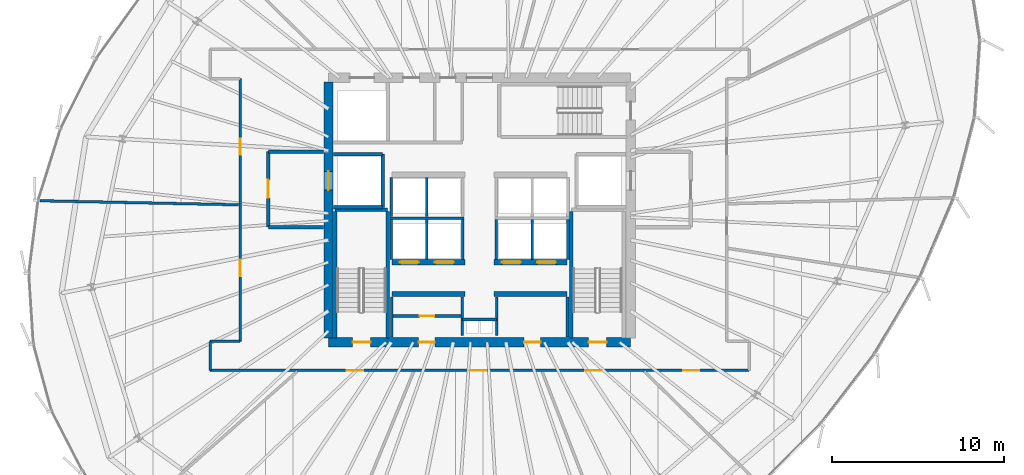
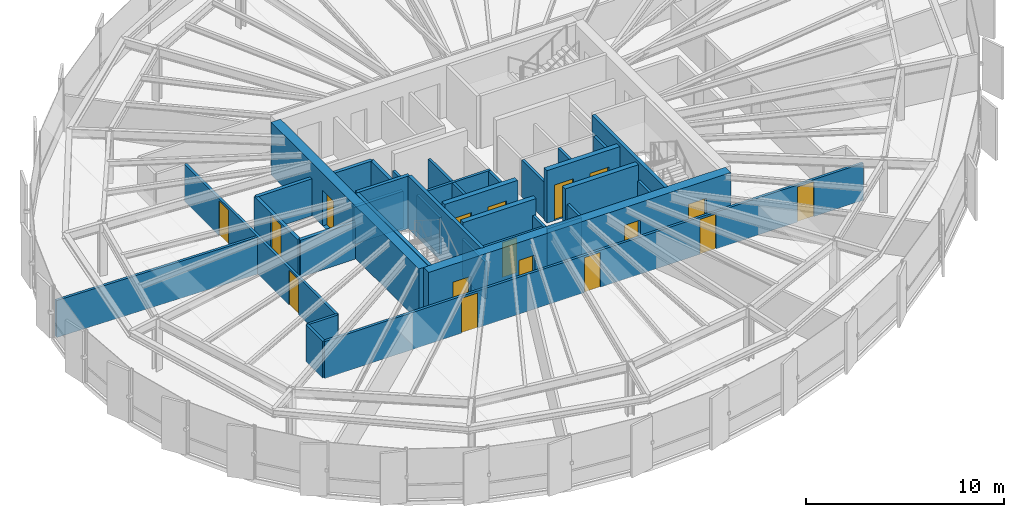
# One storey, part 29 of 35: 36 walls, 17 doors, 17 openings.
"""IFC4 building model written with IfcOpenShell, lengths in metres."""

from ifc_helpers import new_model, si_unit, direction, frame, frame_2d, origin, place, context, subcontext, project, spatial, rectangle, extrude, source, transform, mapped, material, layer, layer_set, type_object, element, fill, save


model = new_model("IFC4")

# Units and contexts
model_context = context("Model", 3, precision=1e-05, world=origin(), true_north=direction((0.0, 1.0)))
body_context = subcontext(model_context, "Body", "Model", "MODEL_VIEW")
ifc_project = project(units=[si_unit("LENGTHUNIT", "METRE"), si_unit("AREAUNIT", "SQUARE_METRE"), si_unit("VOLUMEUNIT", "CUBIC_METRE"), si_unit("PLANEANGLEUNIT", "RADIAN"), si_unit("MASSUNIT", "GRAM", prefix="KILO"), si_unit("THERMODYNAMICTEMPERATUREUNIT", "KELVIN")], contexts=[model_context])

# Site, building, storey
site_placement = place(None, origin())
site = spatial("IfcSite", under=ifc_project, at=site_placement, CompositionType="ELEMENT")
building_placement = place(site_placement, origin())
building = spatial("IfcBuilding", under=site, at=building_placement, Name="Kethvar Cultural Tower", CompositionType="ELEMENT")
storey_placement = place(building_placement, frame((0.0, 0.0, 167.85009765625)))
storey = spatial("IfcBuildingStorey", under=building, at=storey_placement, Name="L43", CompositionType="ELEMENT", Elevation=167.85009765625)

# Wall, openings, doors
ifc_material_1 = material(Name="Concrete C60/75", Category="concrete")
ifc_layer_1 = layer(ifc_material_1, 0.550048828125, Name="Concrete C60/75", Category="concrete")
ifc_layer_set_1 = layer_set([ifc_layer_1], Name="Concrete C60/75 (550 mm)")
wall_type_1 = type_object("IfcWallType", Name="WL-CORE-550", PredefinedType="SHEAR", material=ifc_layer_set_1)
wall_1_placement = place(storey_placement, frame((38.0, 20.10009765625, 0.0), z_axis=(0.0, 0.0, 1.0), x_axis=(1.0, 0.0, 0.0)))
wall_1 = element("IfcWall", 1, at=wall_1_placement, inside=storey, type_object=wall_type_1, Name="L43 Core Shear Wall S", PredefinedType="SHEAR", context=body_context, shape_type="SweptSolid", body=[
    extrude(rectangle(XDim=17.60009765625, YDim=0.550048828125, at=frame_2d((8.800048828125, 0.0))), origin(), (0.0, 0.0, 1.0), 3.239990234375),
])
opening_1_placement = place(wall_1_placement, frame((1.39990234375, 0.0, 0.0)))
opening_1 = element("IfcOpeningElement", 2, at=opening_1_placement, cuts=wall_1, Name="Opening D-L43-S1", PredefinedType="OPENING", context=body_context, shape_type="SweptSolid", body=[
    extrude(rectangle(XDim=1.050048828125, YDim=2.14990234375, at=frame_2d((0.52490234375, 1.074951171875))), frame((0.0, 0.284912109375, 0.0), z_axis=(0.0, -1.0, 0.0), x_axis=(1.0, 0.0, 0.0)), (0.0, 0.0, 1.0), 0.570068359375),
])
opening_2_placement = place(wall_1_placement, frame((15.14990234375, 0.0, 0.0)))
opening_2 = element("IfcOpeningElement", 3, at=opening_2_placement, cuts=wall_1, Name="Opening D-L43-ST2", PredefinedType="OPENING", context=body_context, shape_type="SweptSolid", body=[
    extrude(rectangle(XDim=1.050048828125, YDim=2.14990234375, at=frame_2d((0.52490234375, 1.074951171875))), frame((0.0, 0.284912109375, 0.0), z_axis=(0.0, -1.0, 0.0), x_axis=(1.0, 0.0, 0.0)), (0.0, 0.0, 1.0), 0.570068359375),
])
opening_3_placement = place(wall_1_placement, frame((5.25, 0.0, 0.0)))
opening_3 = element("IfcOpeningElement", 4, at=opening_3_placement, cuts=wall_1, Name="Opening D-L43-V1", PredefinedType="OPENING", context=body_context, shape_type="SweptSolid", body=[
    extrude(rectangle(XDim=0.949951171875, YDim=2.14990234375, at=frame_2d((0.47509765625, 1.074951171875))), frame((0.0, 0.284912109375, 0.0), z_axis=(0.0, -1.0, 0.0), x_axis=(1.0, 0.0, 0.0)), (0.0, 0.0, 1.0), 0.570068359375),
])
opening_4_placement = place(wall_1_placement, frame((11.39990234375, 0.0, 0.0)))
opening_4 = element("IfcOpeningElement", 5, at=opening_4_placement, cuts=wall_1, Name="Opening D-L43-V2", PredefinedType="OPENING", context=body_context, shape_type="SweptSolid", body=[
    extrude(rectangle(XDim=0.949951171875, YDim=2.14990234375, at=frame_2d((0.47509765625, 1.074951171875))), frame((0.0, 0.284912109375, 0.0), z_axis=(0.0, -1.0, 0.0), x_axis=(1.0, 0.0, 0.0)), (0.0, 0.0, 1.0), 0.570068359375),
])
ifc_material_2 = material(Name="Steel S355J2", Category="steel")
door_type_1 = type_object("IfcDoorType", Name="DR-FD60-1050", OperationType="NOTDEFINED", PredefinedType="DOOR", material=ifc_material_2)
shared_shape_1 = source(origin(), body_context, "Body", "SweptSolid", [
    extrude(rectangle(XDim=1.050048828125, YDim=2.14990234375, at=frame_2d((0.52490234375, 1.074951171875))), frame((0.0, 0.02490234375, 0.0), z_axis=(0.0, -1.0, 0.0), x_axis=(1.0, 0.0, 0.0)), (0.0, 0.0, 1.0), 0.050048828125),
])
door_1_placement = place(opening_1_placement, origin())
door_1 = element("IfcDoor", 6, at=door_1_placement, inside=storey, type_object=door_type_1, Name="L43 Exit Stair 1 Door", OperationType="SINGLE_SWING_LEFT", OverallHeight=2.14990234375, OverallWidth=1.050048828125, PredefinedType="DOOR", context=body_context, shape_type="MappedRepresentation", body=[
    mapped(shared_shape_1, transform((0.0, 0.0, 0.0), scale=1.0)),
])
fill(opening_1, door_1)
door_2_placement = place(opening_2_placement, origin())
door_2 = element("IfcDoor", 7, at=door_2_placement, inside=storey, type_object=door_type_1, Name="L43 Exit Stair 2 Door", OperationType="SINGLE_SWING_RIGHT", OverallHeight=2.14990234375, OverallWidth=1.050048828125, PredefinedType="DOOR", context=body_context, shape_type="MappedRepresentation", body=[
    mapped(shared_shape_1, transform((0.0, 0.0, 0.0), scale=1.0)),
])
fill(opening_2, door_2)
ifc_material_3 = material(Name="Architectural Oak Timber", Category="wood")
door_type_2 = type_object("IfcDoorType", Name="DR-FD30-950", OperationType="NOTDEFINED", PredefinedType="DOOR", material=ifc_material_3)
shared_shape_2 = source(origin(), body_context, "Body", "SweptSolid", [
    extrude(rectangle(XDim=0.949951171875, YDim=2.14990234375, at=frame_2d((0.47509765625, 1.074951171875))), frame((0.0, 0.02490234375, 0.0), z_axis=(0.0, -1.0, 0.0), x_axis=(1.0, 0.0, 0.0)), (0.0, 0.0, 1.0), 0.050048828125),
])
door_3_placement = place(opening_3_placement, origin())
door_3 = element("IfcDoor", 8, at=door_3_placement, inside=storey, type_object=door_type_2, Name="L43 Reclaimed West South Door", OperationType="SINGLE_SWING_LEFT", OverallHeight=2.14990234375, OverallWidth=0.949951171875, PredefinedType="DOOR", context=body_context, shape_type="MappedRepresentation", body=[
    mapped(shared_shape_2, transform((0.0, 0.0, 0.0), scale=1.0)),
])
fill(opening_3, door_3)
door_4_placement = place(opening_4_placement, origin())
door_4 = element("IfcDoor", 9, at=door_4_placement, inside=storey, type_object=door_type_2, Name="L43 Reclaimed East Server Door", OperationType="SINGLE_SWING_RIGHT", OverallHeight=2.14990234375, OverallWidth=0.949951171875, PredefinedType="DOOR", context=body_context, shape_type="MappedRepresentation", body=[
    mapped(shared_shape_2, transform((0.0, 0.0, 0.0), scale=1.0)),
])
fill(opening_4, door_4)

# Wall, opening, door
wall_2_placement = place(storey_placement, frame((38.0, 35.260009765625, 0.0), z_axis=(0.0, 0.0, 1.0), x_axis=(0.0, -1.0, 0.0)))
wall_2 = element("IfcWall", 10, at=wall_2_placement, inside=storey, type_object=wall_type_1, Name="L43 Core Shear Wall W", PredefinedType="SHEAR", context=body_context, shape_type="SweptSolid", body=[
    extrude(rectangle(XDim=14.919921875, YDim=0.550048828125, at=frame_2d((7.4599609375, 0.0))), origin(), (0.0, 0.0, 1.0), 3.239990234375),
])
opening_5_placement = place(wall_2_placement, frame((5.2099609375, 0.0, 0.0)))
opening_5 = element("IfcOpeningElement", 11, at=opening_5_placement, cuts=wall_2, Name="Opening LD-1", PredefinedType="OPENING", context=body_context, shape_type="SweptSolid", body=[
    extrude(rectangle(XDim=1.10009765625, YDim=2.199951171875, at=frame_2d((0.550048828125, 1.10009765625))), frame((0.0, 0.284912109375, 0.0), z_axis=(0.0, -1.0, 0.0), x_axis=(1.0, 0.0, 0.0)), (0.0, 0.0, 1.0), 0.570068359375),
])
door_type_3 = type_object("IfcDoorType", Name="DR-LIFT-SLIDE-1100", OperationType="NOTDEFINED", PredefinedType="DOOR", material=ifc_material_2)
shared_shape_3 = source(origin(), body_context, "Body", "SweptSolid", [
    extrude(rectangle(XDim=1.10009765625, YDim=2.199951171875, at=frame_2d((0.550048828125, 1.10009765625))), frame((0.0, 0.02490234375, 0.0), z_axis=(0.0, -1.0, 0.0), x_axis=(1.0, 0.0, 0.0)), (0.0, 0.0, 1.0), 0.050048828125),
])
door_5_placement = place(opening_5_placement, origin())
door_5 = element("IfcDoor", 12, at=door_5_placement, inside=storey, type_object=door_type_3, Name="L43 Firefighting Lift Landing Door FFL-01", OperationType="SLIDING_TO_LEFT", OverallHeight=2.199951171875, OverallWidth=1.10009765625, PredefinedType="DOOR", context=body_context, shape_type="MappedRepresentation", body=[
    mapped(shared_shape_3, transform((0.0, 0.0, 0.0), scale=1.0)),
])
fill(opening_5, door_5)

# Walls
ifc_material_4 = material(Name="Gypsum Fireboard Partition")
ifc_layer_2 = layer(ifc_material_4, 0.14990234375, Name="Gypsum Fireboard Partition")
ifc_layer_set_2 = layer_set([ifc_layer_2], Name="Gypsum Fireboard Partition (150 mm)")
wall_type_2 = type_object("IfcWallType", Name="WL-FIRE-150", PredefinedType="PARTITIONING", material=ifc_layer_set_2)
wall_3_placement = place(storey_placement, frame((45.800048828125, 21.419921875, 0.0), z_axis=(0.0, 0.0, 1.0), x_axis=(1.0, 0.0, 0.0)))
element("IfcWall", 13, at=wall_3_placement, inside=storey, type_object=wall_type_2, Name="L43 Core Riser Wall", PredefinedType="PARTITIONING", context=body_context, shape_type="SweptSolid", body=[
    extrude(rectangle(XDim=2.0, YDim=0.14990234375, at=frame_2d((1.0, 0.0))), origin(), (0.0, 0.0, 1.0), 2.27978515625),
])
for number, where, z_axis, x_axis, name in (
    (14, (45.800048828125, 20.47998046875, 0.0), (0.0, 0.0, 1.0), (0.0, 1.0, 0.0), "L43 Core Riser West Wall"),
    (15, (47.800048828125, 20.47998046875, 0.0), (0.0, 0.0, 1.0), (0.0, 1.0, 0.0), "L43 Core Riser East Wall"),
):
    element("IfcWall", number, at=place(storey_placement, frame(where, z_axis=z_axis, x_axis=x_axis)), inside=storey, type_object=wall_type_2, Name=name, PredefinedType="PARTITIONING", context=body_context, shape_type="SweptSolid", body=[
        extrude(rectangle(XDim=2.239990234375, YDim=0.14990234375, at=frame_2d((1.1201171875, 0.0))), origin(), (0.0, 0.0, 1.0), 2.27978515625),
    ])
for number, where, z_axis, x_axis, name in (
    (16, (41.679931640625, 20.385009765625, 0.0), (0.0, 0.0, 1.0), (0.0, 1.0, 0.0), "L43 Reclaimed West Outer Wall"),
    (17, (51.919921875, 20.385009765625, 0.0), (0.0, 0.0, 1.0), (0.0, 1.0, 0.0), "L43 Reclaimed East Outer Wall"),
):
    element("IfcWall", number, at=place(storey_placement, frame(where, z_axis=z_axis, x_axis=x_axis)), inside=storey, type_object=wall_type_2, Name=name, PredefinedType="PARTITIONING", context=body_context, shape_type="SweptSolid", body=[
        extrude(rectangle(XDim=2.344970703125, YDim=0.14990234375, at=frame_2d((1.17236328125, 0.0))), origin(), (0.0, 0.0, 1.0), 2.27978515625),
    ])

# Wall, opening, door
wall_4_placement = place(storey_placement, frame((41.760009765625, 21.6201171875, 0.0), z_axis=(0.0, 0.0, 1.0), x_axis=(1.0, 0.0, 0.0)))
wall_4 = element("IfcWall", 18, at=wall_4_placement, inside=storey, type_object=wall_type_2, Name="L43 Vault Gallery Wall W", PredefinedType="PARTITIONING", context=body_context, shape_type="SweptSolid", body=[
    extrude(rectangle(XDim=3.9599609375, YDim=0.14990234375, at=frame_2d((1.97998046875, 0.0))), origin(), (0.0, 0.0, 1.0), 2.27978515625),
])
opening_6_placement = place(wall_4_placement, frame((1.550048828125, 0.0, 0.0)))
opening_6 = element("IfcOpeningElement", 19, at=opening_6_placement, cuts=wall_4, Name="Opening D-L43-V3", PredefinedType="OPENING", context=body_context, shape_type="SweptSolid", body=[
    extrude(rectangle(XDim=0.85009765625, YDim=2.14990234375, at=frame_2d((0.425048828125, 1.074951171875))), frame((0.0, 0.0849609375, 0.0), z_axis=(0.0, -1.0, 0.0), x_axis=(1.0, 0.0, 0.0)), (0.0, 0.0, 1.0), 0.169921875),
])
door_type_4 = type_object("IfcDoorType", Name="DR-FD30-850", OperationType="NOTDEFINED", PredefinedType="DOOR", material=ifc_material_2)
shared_shape_4 = source(origin(), body_context, "Body", "SweptSolid", [
    extrude(rectangle(XDim=0.85009765625, YDim=2.14990234375, at=frame_2d((0.425048828125, 1.074951171875))), frame((0.0, 0.02490234375, 0.0), z_axis=(0.0, -1.0, 0.0), x_axis=(1.0, 0.0, 0.0)), (0.0, 0.0, 1.0), 0.050048828125),
])
door_6_placement = place(opening_6_placement, origin())
door_6 = element("IfcDoor", 20, at=door_6_placement, inside=storey, type_object=door_type_4, Name="L43 Inner Vault Gallery Door", OperationType="SINGLE_SWING_LEFT", OverallHeight=2.14990234375, OverallWidth=0.85009765625, PredefinedType="DOOR", context=body_context, shape_type="MappedRepresentation", body=[
    mapped(shared_shape_4, transform((0.0, 0.0, 0.0), scale=1.0)),
])
fill(opening_6, door_6)

# Walls
wall_5_placement = place(storey_placement, frame((41.580078125, 27.324951171875, 0.0), z_axis=(0.0, 0.0, 1.0), x_axis=(1.0, 0.0, 0.0)))
element("IfcWall", 21, at=wall_5_placement, inside=storey, type_object=wall_type_2, Name="L43 Mid-High Lift Shaft Back Wall W", PredefinedType="PARTITIONING", context=body_context, shape_type="SweptSolid", body=[
    extrude(rectangle(XDim=4.31982421875, YDim=0.14990234375, at=frame_2d((2.159912109375, 0.0))), origin(), (0.0, 0.0, 1.0), 2.27978515625),
])
for number, where, z_axis, x_axis, name in (
    (22, (41.64990234375, 24.919921875, 0.0), (0.0, 0.0, 1.0), (0.0, 1.0, 0.0), "L43 Mid-Rise Lift Shaft Outer Wall W"),
    (23, (43.72509765625, 24.919921875, 0.0), (0.0, 0.0, 1.0), (0.0, 1.0, 0.0), "L43 Mid-Rise Lift Shaft Divider W"),
    (24, (45.824951171875, 24.919921875, 0.0), (0.0, 0.0, 1.0), (0.0, 1.0, 0.0), "L43 Mid-Rise Lift Shaft Concourse Wall W"),
    (25, (47.77490234375, 24.919921875, 0.0), (0.0, 0.0, 1.0), (0.0, 1.0, 0.0), "L43 Mid-Rise Lift Shaft Concourse Wall E"),
    (26, (49.875, 24.919921875, 0.0), (0.0, 0.0, 1.0), (0.0, 1.0, 0.0), "L43 Mid-Rise Lift Shaft Divider E"),
    (27, (51.949951171875, 24.919921875, 0.0), (0.0, 0.0, 1.0), (0.0, 1.0, 0.0), "L43 Mid-Rise Lift Shaft Outer Wall E"),
):
    element("IfcWall", number, at=place(storey_placement, frame(where, z_axis=z_axis, x_axis=x_axis)), inside=storey, type_object=wall_type_2, Name=name, PredefinedType="PARTITIONING", context=body_context, shape_type="SweptSolid", body=[
        extrude(rectangle(XDim=2.320068359375, YDim=0.14990234375, at=frame_2d((1.16015625, 0.0))), origin(), (0.0, 0.0, 1.0), 2.27978515625),
    ])
for number, where, z_axis, x_axis, name in (
    (28, (41.64990234375, 27.409912109375, 0.0), (0.0, 0.0, 1.0), (0.0, 1.0, 0.0), "L43 High-Rise Lift Shaft Outer Wall W"),
    (29, (43.72509765625, 27.409912109375, 0.0), (0.0, 0.0, 1.0), (0.0, 1.0, 0.0), "L43 High-Rise Lift Shaft Divider W"),
):
    element("IfcWall", number, at=place(storey_placement, frame(where, z_axis=z_axis, x_axis=x_axis)), inside=storey, type_object=wall_type_2, Name=name, PredefinedType="PARTITIONING", context=body_context, shape_type="SweptSolid", body=[
        extrude(rectangle(XDim=2.27001953125, YDim=0.14990234375, at=frame_2d((1.135009765625, 0.0))), origin(), (0.0, 0.0, 1.0), 2.27978515625),
    ])

# Wall, openings, doors
wall_6_placement = place(storey_placement, frame((31.10009765625, 18.449951171875, 0.0), z_axis=(0.0, 0.0, 1.0), x_axis=(1.0, 0.0, 0.0)))
wall_6 = element("IfcWall", 30, at=wall_6_placement, inside=storey, type_object=wall_type_2, Name="L43 Corridor Rated Wall S", PredefinedType="PARTITIONING", context=body_context, shape_type="SweptSolid", body=[
    extrude(rectangle(XDim=31.39990234375, YDim=0.14990234375, at=frame_2d((15.699951171875, 0.0))), origin(), (0.0, 0.0, 1.0), 2.27978515625),
])
opening_7_placement = place(wall_6_placement, frame((7.96875, 0.0, 0.0)))
opening_7 = element("IfcOpeningElement", 31, at=opening_7_placement, cuts=wall_6, Name="Opening D-L43-01", PredefinedType="OPENING", context=body_context, shape_type="SweptSolid", body=[
    extrude(rectangle(XDim=0.949951171875, YDim=2.14990234375, at=frame_2d((0.47509765625, 1.074951171875))), frame((0.0, 0.0849609375, 0.0), z_axis=(0.0, -1.0, 0.0), x_axis=(1.0, 0.0, 0.0)), (0.0, 0.0, 1.0), 0.169921875),
])
opening_8_placement = place(wall_6_placement, frame((15.1279296875, 0.0, 0.0)))
opening_8 = element("IfcOpeningElement", 32, at=opening_8_placement, cuts=wall_6, Name="Opening D-L43-02", PredefinedType="OPENING", context=body_context, shape_type="SweptSolid", body=[
    extrude(rectangle(XDim=0.949951171875, YDim=2.14990234375, at=frame_2d((0.47509765625, 1.074951171875))), frame((0.0, 0.0849609375, 0.0), z_axis=(0.0, -1.0, 0.0), x_axis=(1.0, 0.0, 0.0)), (0.0, 0.0, 1.0), 0.169921875),
])
opening_9_placement = place(wall_6_placement, frame((21.864501953125, 0.0, 0.0)))
opening_9 = element("IfcOpeningElement", 33, at=opening_9_placement, cuts=wall_6, Name="Opening D-L43-03", PredefinedType="OPENING", context=body_context, shape_type="SweptSolid", body=[
    extrude(rectangle(XDim=0.949951171875, YDim=2.14990234375, at=frame_2d((0.47509765625, 1.074951171875))), frame((0.0, 0.0849609375, 0.0), z_axis=(0.0, -1.0, 0.0), x_axis=(1.0, 0.0, 0.0)), (0.0, 0.0, 1.0), 0.169921875),
])
opening_10_placement = place(wall_6_placement, frame((27.5546875, 0.0, 0.0)))
opening_10 = element("IfcOpeningElement", 34, at=opening_10_placement, cuts=wall_6, Name="Opening D-L43-04", PredefinedType="OPENING", context=body_context, shape_type="SweptSolid", body=[
    extrude(rectangle(XDim=0.949951171875, YDim=2.14990234375, at=frame_2d((0.47509765625, 1.074951171875))), frame((0.0, 0.0849609375, 0.0), z_axis=(0.0, -1.0, 0.0), x_axis=(1.0, 0.0, 0.0)), (0.0, 0.0, 1.0), 0.169921875),
])
door_7_placement = place(opening_7_placement, origin())
door_7 = element("IfcDoor", 35, at=door_7_placement, inside=storey, type_object=door_type_2, Name="L43 Institutional Tenant Office 01 Door", OperationType="SINGLE_SWING_RIGHT", OverallHeight=2.14990234375, OverallWidth=0.949951171875, PredefinedType="DOOR", context=body_context, shape_type="MappedRepresentation", body=[
    mapped(shared_shape_2, transform((0.0, 0.0, 0.0), scale=1.0)),
])
fill(opening_7, door_7)
door_8_placement = place(opening_8_placement, origin())
door_8 = element("IfcDoor", 36, at=door_8_placement, inside=storey, type_object=door_type_2, Name="L43 Editorial Partner Office 02 Door", OperationType="SINGLE_SWING_LEFT", OverallHeight=2.14990234375, OverallWidth=0.949951171875, PredefinedType="DOOR", context=body_context, shape_type="MappedRepresentation", body=[
    mapped(shared_shape_2, transform((0.0, 0.0, 0.0), scale=1.0)),
])
fill(opening_8, door_8)
door_9_placement = place(opening_9_placement, origin())
door_9 = element("IfcDoor", 37, at=door_9_placement, inside=storey, type_object=door_type_2, Name="L43 Open Plan Office 03 Door", OperationType="SINGLE_SWING_RIGHT", OverallHeight=2.14990234375, OverallWidth=0.949951171875, PredefinedType="DOOR", context=body_context, shape_type="MappedRepresentation", body=[
    mapped(shared_shape_2, transform((0.0, 0.0, 0.0), scale=1.0)),
])
fill(opening_9, door_9)
door_10_placement = place(opening_10_placement, origin())
door_10 = element("IfcDoor", 38, at=door_10_placement, inside=storey, type_object=door_type_2, Name="L43 Policy Research Workspace 04 Door", OperationType="SINGLE_SWING_LEFT", OverallHeight=2.14990234375, OverallWidth=0.949951171875, PredefinedType="DOOR", context=body_context, shape_type="MappedRepresentation", body=[
    mapped(shared_shape_2, transform((0.0, 0.0, 0.0), scale=1.0)),
])
fill(opening_10, door_10)

wall_7_placement = place(storey_placement, frame((32.85009765625, 35.449951171875, 0.0), z_axis=(0.0, 0.0, 1.0), x_axis=(0.0, -1.0, 0.0)))
wall_7 = element("IfcWall", 39, at=wall_7_placement, inside=storey, type_object=wall_type_2, Name="L43 Corridor Rated Wall WM", PredefinedType="PARTITIONING", context=body_context, shape_type="SweptSolid", body=[
    extrude(rectangle(XDim=15.300048828125, YDim=0.14990234375, at=frame_2d((7.64990234375, 0.0))), origin(), (0.0, 0.0, 1.0), 2.27978515625),
])
opening_11_placement = place(wall_7_placement, frame((3.490966796875, 0.0, 0.0)))
opening_11 = element("IfcOpeningElement", 40, at=opening_11_placement, cuts=wall_7, Name="Opening D-L43-09", PredefinedType="OPENING", context=body_context, shape_type="SweptSolid", body=[
    extrude(rectangle(XDim=0.949951171875, YDim=2.14990234375, at=frame_2d((0.47509765625, 1.074951171875))), frame((0.0, 0.0849609375, 0.0), z_axis=(0.0, -1.0, 0.0), x_axis=(1.0, 0.0, 0.0)), (0.0, 0.0, 1.0), 0.169921875),
])
opening_12_placement = place(wall_7_placement, frame((10.56103515625, 0.0, 0.0)))
opening_12 = element("IfcOpeningElement", 41, at=opening_12_placement, cuts=wall_7, Name="Opening D-L43-10", PredefinedType="OPENING", context=body_context, shape_type="SweptSolid", body=[
    extrude(rectangle(XDim=0.949951171875, YDim=2.14990234375, at=frame_2d((0.47509765625, 1.074951171875))), frame((0.0, 0.0849609375, 0.0), z_axis=(0.0, -1.0, 0.0), x_axis=(1.0, 0.0, 0.0)), (0.0, 0.0, 1.0), 0.169921875),
])
door_11_placement = place(opening_11_placement, origin())
door_11 = element("IfcDoor", 42, at=door_11_placement, inside=storey, type_object=door_type_2, Name="L43 Members' Dining Lounge 09 Door", OperationType="SINGLE_SWING_RIGHT", OverallHeight=2.14990234375, OverallWidth=0.949951171875, PredefinedType="DOOR", context=body_context, shape_type="MappedRepresentation", body=[
    mapped(shared_shape_2, transform((0.0, 0.0, 0.0), scale=1.0)),
])
fill(opening_11, door_11)
door_12_placement = place(opening_12_placement, origin())
door_12 = element("IfcDoor", 43, at=door_12_placement, inside=storey, type_object=door_type_2, Name="L43 Visitor Reception 10 Door", OperationType="SINGLE_SWING_LEFT", OverallHeight=2.14990234375, OverallWidth=0.949951171875, PredefinedType="DOOR", context=body_context, shape_type="MappedRepresentation", body=[
    mapped(shared_shape_2, transform((0.0, 0.0, 0.0), scale=1.0)),
])
fill(opening_12, door_12)

# Walls
wall_8_placement = place(storey_placement, frame((32.85009765625, 20.14990234375, 0.0), z_axis=(0.0, 0.0, 1.0), x_axis=(-1.0, 0.0, 0.0)))
element("IfcWall", 44, at=wall_8_placement, inside=storey, type_object=wall_type_2, Name="L43 Corridor Rated Wall WST", PredefinedType="PARTITIONING", context=body_context, shape_type="SweptSolid", body=[
    extrude(rectangle(XDim=1.75, YDim=0.14990234375, at=frame_2d((0.875, 0.0))), origin(), (0.0, 0.0, 1.0), 2.27978515625),
])
wall_9_placement = place(storey_placement, frame((31.10009765625, 20.14990234375, 0.0), z_axis=(0.0, 0.0, 1.0), x_axis=(0.0, -1.0, 0.0)))
element("IfcWall", 45, at=wall_9_placement, inside=storey, type_object=wall_type_2, Name="L43 Corridor Rated Wall WS", PredefinedType="PARTITIONING", context=body_context, shape_type="SweptSolid", body=[
    extrude(rectangle(XDim=1.699951171875, YDim=0.14990234375, at=frame_2d((0.85009765625, 0.0))), origin(), (0.0, 0.0, 1.0), 2.27978515625),
])
ifc_material_5 = material(Name="Concrete C40/50", Category="concrete")
ifc_layer_3 = layer(ifc_material_5, 0.199951171875, Name="Concrete C40/50", Category="concrete")
ifc_layer_set_3 = layer_set([ifc_layer_3], Name="Concrete C40/50 (200 mm)")
wall_type_3 = type_object("IfcWallType", Name="WL-FIRE-200", PredefinedType="PARTITIONING", material=ifc_layer_set_3)
wall_10_placement = place(storey_placement, frame((41.14990234375, 27.949951171875, 0.0), z_axis=(0.0, 0.0, 1.0), x_axis=(0.0, 1.0, 0.0)))
element("IfcWall", 46, at=wall_10_placement, inside=storey, type_object=wall_type_3, Name="L43 FFL-01 Shaft Inner Wall", PredefinedType="PARTITIONING", context=body_context, shape_type="SweptSolid", body=[
    extrude(rectangle(XDim=3.10009765625, YDim=0.199951171875, at=frame_2d((1.550048828125, 0.0))), origin(), (0.0, 0.0, 1.0), 2.27978515625),
])
for number, where, z_axis, x_axis, name in (
    (47, (38.284912109375, 27.949951171875, 0.0), (0.0, 0.0, 1.0), (1.0, 0.0, 0.0), "L43 FFL-01 Shaft South Wall"),
    (48, (38.284912109375, 31.050048828125, 0.0), (0.0, 0.0, 1.0), (1.0, 0.0, 0.0), "L43 FFL-01 Shaft North Wall"),
):
    element("IfcWall", number, at=place(storey_placement, frame(where, z_axis=z_axis, x_axis=x_axis)), inside=storey, type_object=wall_type_3, Name=name, PredefinedType="PARTITIONING", context=body_context, shape_type="SweptSolid", body=[
        extrude(rectangle(XDim=2.864990234375, YDim=0.199951171875, at=frame_2d((1.4326171875, 0.0))), origin(), (0.0, 0.0, 1.0), 2.27978515625),
    ])

# Wall, opening, door
wall_11_placement = place(storey_placement, frame((34.5, 31.199951171875, 0.0), z_axis=(0.0, 0.0, 1.0), x_axis=(0.0, -1.0, 0.0)))
wall_11 = element("IfcWall", 49, at=wall_11_placement, inside=storey, type_object=wall_type_3, Name="L43 Firefighting Lobby 1 Wall", PredefinedType="PARTITIONING", context=body_context, shape_type="SweptSolid", body=[
    extrude(rectangle(XDim=4.39990234375, YDim=0.199951171875, at=frame_2d((2.199951171875, 0.0))), origin(), (0.0, 0.0, 1.0), 2.27978515625),
])
opening_13_placement = place(wall_11_placement, frame((1.64990234375, 0.0, 0.0)))
opening_13 = element("IfcOpeningElement", 50, at=opening_13_placement, cuts=wall_11, Name="Opening D-L43-F1", PredefinedType="OPENING", context=body_context, shape_type="SweptSolid", body=[
    extrude(rectangle(XDim=1.050048828125, YDim=2.14990234375, at=frame_2d((0.52490234375, 1.074951171875))), frame((0.0, 0.10986328125, 0.0), z_axis=(0.0, -1.0, 0.0), x_axis=(1.0, 0.0, 0.0)), (0.0, 0.0, 1.0), 0.219970703125),
])
door_13_placement = place(opening_13_placement, origin())
door_13 = element("IfcDoor", 51, at=door_13_placement, inside=storey, type_object=door_type_1, Name="L43 Firefighting Lobby 1 Fire Door", OperationType="SINGLE_SWING_LEFT", OverallHeight=2.14990234375, OverallWidth=1.050048828125, PredefinedType="DOOR", context=body_context, shape_type="MappedRepresentation", body=[
    mapped(shared_shape_1, transform((0.0, 0.0, 0.0), scale=1.0)),
])
fill(opening_13, door_13)

# Walls
for number, where, z_axis, x_axis, name in (
    (52, (34.5, 26.800048828125, 0.0), (0.0, 0.0, 1.0), (1.0, 0.0, 0.0), "L43 FF Lobby 1 South Wall"),
    (53, (34.5, 31.199951171875, 0.0), (0.0, 0.0, 1.0), (1.0, 0.0, 0.0), "L43 FF Lobby 1 North Wall"),
):
    element("IfcWall", number, at=place(storey_placement, frame(where, z_axis=z_axis, x_axis=x_axis)), inside=storey, type_object=wall_type_3, Name=name, PredefinedType="PARTITIONING", context=body_context, shape_type="SweptSolid", body=[
        extrude(rectangle(XDim=3.215087890625, YDim=0.199951171875, at=frame_2d((1.607421875, 0.0))), origin(), (0.0, 0.0, 1.0), 2.27978515625),
    ])
ifc_material_6 = material(Name="Gypsum Acoustic Partition")
ifc_layer_4 = layer(ifc_material_6, 0.14990234375, Name="Gypsum Acoustic Partition")
ifc_layer_set_4 = layer_set([ifc_layer_4], Name="Gypsum Acoustic Partition (150 mm)")
wall_type_4 = type_object("IfcWallType", Name="WL-PART-150", PredefinedType="PARTITIONING", material=ifc_layer_set_4)
wall_12_placement = place(storey_placement, frame((32.77001953125, 28.099609375, 0.0), z_axis=(0.0, 0.0, 1.0), x_axis=(-0.999792607631, 0.020365208733, 0.0)))
element("IfcWall", 54, at=wall_12_placement, inside=storey, type_object=wall_type_4, Name="L43 Radial Partition Wall 10", PredefinedType="PARTITIONING", context=body_context, shape_type="SweptSolid", body=[
    extrude(rectangle(XDim=11.58056640625, YDim=0.14990234375, at=frame_2d((5.790283203125, 0.0))), origin(), (0.0, 0.0, 1.0), 2.27978515625),
])
ifc_material_7 = material(Name="Concrete C50/60", Category="concrete")
ifc_layer_5 = layer(ifc_material_7, 0.300048828125, Name="Concrete C50/60", Category="concrete")
ifc_layer_set_5 = layer_set([ifc_layer_5], Name="Concrete C50/60 (300 mm)")
wall_type_5 = type_object("IfcWallType", Name="WL-SHAFT-300", PredefinedType="SHEAR", material=ifc_layer_set_5)
for number, where, z_axis, x_axis, name in (
    (55, (41.699951171875, 22.89990234375, 0.0), (0.0, 0.0, 1.0), (1.0, 0.0, 0.0), "L43 Core Lift Spine Wall MID1W"),
    (56, (47.64990234375, 22.89990234375, 0.0), (0.0, 0.0, 1.0), (1.0, 0.0, 0.0), "L43 Core Lift Spine Wall MID1E"),
):
    element("IfcWall", number, at=place(storey_placement, frame(where, z_axis=z_axis, x_axis=x_axis)), inside=storey, type_object=wall_type_5, Name=name, PredefinedType="SHEAR", context=body_context, shape_type="SweptSolid", body=[
        extrude(rectangle(XDim=4.25, YDim=0.300048828125, at=frame_2d((2.125, 0.0))), origin(), (0.0, 0.0, 1.0), 3.239990234375),
    ])

# Wall, openings, doors
wall_13_placement = place(storey_placement, frame((41.699951171875, 24.75, 0.0), z_axis=(0.0, 0.0, 1.0), x_axis=(1.0, 0.0, 0.0)))
wall_13 = element("IfcWall", 57, at=wall_13_placement, inside=storey, type_object=wall_type_5, Name="L43 Core Lift Spine Wall MID2W", PredefinedType="SHEAR", context=body_context, shape_type="SweptSolid", body=[
    extrude(rectangle(XDim=4.25, YDim=0.300048828125, at=frame_2d((2.125, 0.0))), origin(), (0.0, 0.0, 1.0), 3.239990234375),
])
opening_14_placement = place(wall_13_placement, frame((0.449951171875, 0.0, 0.0)))
opening_14 = element("IfcOpeningElement", 58, at=opening_14_placement, cuts=wall_13, Name="Opening LD-M1", PredefinedType="OPENING", context=body_context, shape_type="SweptSolid", body=[
    extrude(rectangle(XDim=1.10009765625, YDim=2.199951171875, at=frame_2d((0.550048828125, 1.10009765625))), frame((0.0, 0.159912109375, 0.0), z_axis=(0.0, -1.0, 0.0), x_axis=(1.0, 0.0, 0.0)), (0.0, 0.0, 1.0), 0.320068359375),
])
opening_15_placement = place(wall_13_placement, frame((2.5, 0.0, 0.0)))
opening_15 = element("IfcOpeningElement", 59, at=opening_15_placement, cuts=wall_13, Name="Opening LD-M2", PredefinedType="OPENING", context=body_context, shape_type="SweptSolid", body=[
    extrude(rectangle(XDim=1.10009765625, YDim=2.199951171875, at=frame_2d((0.550048828125, 1.10009765625))), frame((0.0, 0.159912109375, 0.0), z_axis=(0.0, -1.0, 0.0), x_axis=(1.0, 0.0, 0.0)), (0.0, 0.0, 1.0), 0.320068359375),
])
door_14_placement = place(opening_14_placement, origin())
door_14 = element("IfcDoor", 60, at=door_14_placement, inside=storey, type_object=door_type_3, Name="L43 Mid-Rise Lift Landing Door M1", OperationType="SLIDING_TO_RIGHT", OverallHeight=2.199951171875, OverallWidth=1.10009765625, PredefinedType="DOOR", context=body_context, shape_type="MappedRepresentation", body=[
    mapped(shared_shape_3, transform((0.0, 0.0, 0.0), scale=1.0)),
])
fill(opening_14, door_14)
door_15_placement = place(opening_15_placement, origin())
door_15 = element("IfcDoor", 61, at=door_15_placement, inside=storey, type_object=door_type_3, Name="L43 Mid-Rise Lift Landing Door M2", OperationType="SLIDING_TO_RIGHT", OverallHeight=2.199951171875, OverallWidth=1.10009765625, PredefinedType="DOOR", context=body_context, shape_type="MappedRepresentation", body=[
    mapped(shared_shape_3, transform((0.0, 0.0, 0.0), scale=1.0)),
])
fill(opening_15, door_15)

wall_14_placement = place(storey_placement, frame((47.64990234375, 24.75, 0.0), z_axis=(0.0, 0.0, 1.0), x_axis=(1.0, 0.0, 0.0)))
wall_14 = element("IfcWall", 62, at=wall_14_placement, inside=storey, type_object=wall_type_5, Name="L43 Core Lift Spine Wall MID2E", PredefinedType="SHEAR", context=body_context, shape_type="SweptSolid", body=[
    extrude(rectangle(XDim=4.25, YDim=0.300048828125, at=frame_2d((2.125, 0.0))), origin(), (0.0, 0.0, 1.0), 3.239990234375),
])
opening_16_placement = place(wall_14_placement, frame((0.449951171875, 0.0, 0.0)))
opening_16 = element("IfcOpeningElement", 63, at=opening_16_placement, cuts=wall_14, Name="Opening LD-M3", PredefinedType="OPENING", context=body_context, shape_type="SweptSolid", body=[
    extrude(rectangle(XDim=1.10009765625, YDim=2.199951171875, at=frame_2d((0.550048828125, 1.10009765625))), frame((0.0, 0.159912109375, 0.0), z_axis=(0.0, -1.0, 0.0), x_axis=(1.0, 0.0, 0.0)), (0.0, 0.0, 1.0), 0.320068359375),
])
opening_17_placement = place(wall_14_placement, frame((2.5, 0.0, 0.0)))
opening_17 = element("IfcOpeningElement", 64, at=opening_17_placement, cuts=wall_14, Name="Opening LD-M4", PredefinedType="OPENING", context=body_context, shape_type="SweptSolid", body=[
    extrude(rectangle(XDim=1.10009765625, YDim=2.199951171875, at=frame_2d((0.550048828125, 1.10009765625))), frame((0.0, 0.159912109375, 0.0), z_axis=(0.0, -1.0, 0.0), x_axis=(1.0, 0.0, 0.0)), (0.0, 0.0, 1.0), 0.320068359375),
])
door_16_placement = place(opening_16_placement, origin())
door_16 = element("IfcDoor", 65, at=door_16_placement, inside=storey, type_object=door_type_3, Name="L43 Mid-Rise Lift Landing Door M3", OperationType="SLIDING_TO_RIGHT", OverallHeight=2.199951171875, OverallWidth=1.10009765625, PredefinedType="DOOR", context=body_context, shape_type="MappedRepresentation", body=[
    mapped(shared_shape_3, transform((0.0, 0.0, 0.0), scale=1.0)),
])
fill(opening_16, door_16)
door_17_placement = place(opening_17_placement, origin())
door_17 = element("IfcDoor", 66, at=door_17_placement, inside=storey, type_object=door_type_3, Name="L43 Mid-Rise Lift Landing Door M4", OperationType="SLIDING_TO_RIGHT", OverallHeight=2.199951171875, OverallWidth=1.10009765625, PredefinedType="DOOR", context=body_context, shape_type="MappedRepresentation", body=[
    mapped(shared_shape_3, transform((0.0, 0.0, 0.0), scale=1.0)),
])
fill(opening_17, door_17)

# Walls
ifc_layer_6 = layer(ifc_material_7, 0.199951171875, Name="Concrete C50/60", Category="concrete")
ifc_layer_set_6 = layer_set([ifc_layer_6], Name="Concrete C50/60 (200 mm)")
wall_type_6 = type_object("IfcWallType", Name="WL-STSHAFT-200", PredefinedType="SHEAR", material=ifc_layer_set_6)
wall_15_placement = place(storey_placement, frame((38.389892578125, 27.800048828125, 0.0), z_axis=(0.0, 0.0, 1.0), x_axis=(1.0, 0.0, 0.0)))
element("IfcWall", 67, at=wall_15_placement, inside=storey, type_object=wall_type_6, Name="L43 ST-01 Stair Shaft Wall FAR", PredefinedType="SHEAR", context=body_context, shape_type="SweptSolid", body=[
    extrude(rectangle(XDim=3.06005859375, YDim=0.199951171875, at=frame_2d((1.530029296875, 0.0))), origin(), (0.0, 0.0, 1.0), 3.239990234375),
])
for number, where, z_axis, x_axis, name in (
    (68, (41.449951171875, 27.699951171875, 0.0), (0.0, 0.0, 1.0), (0.0, -1.0, 0.0), "L43 ST-01 Stair Shaft Wall LEFT"),
    (69, (38.389892578125, 20.35009765625, 0.0), (0.0, 0.0, 1.0), (0.0, 1.0, 0.0), "L43 ST-01 Stair Shaft Wall RIGHT"),
    (70, (52.14990234375, 20.35009765625, 0.0), (0.0, 0.0, 1.0), (0.0, 1.0, 0.0), "L43 ST-02 Stair Shaft Wall RIGHT"),
):
    element("IfcWall", number, at=place(storey_placement, frame(where, z_axis=z_axis, x_axis=x_axis)), inside=storey, type_object=wall_type_6, Name=name, PredefinedType="SHEAR", context=body_context, shape_type="SweptSolid", body=[
        extrude(rectangle(XDim=7.349853515625, YDim=0.199951171875, at=frame_2d((3.6748046875, 0.0))), origin(), (0.0, 0.0, 1.0), 3.239990234375),
    ])

save(model, "model.ifc")
